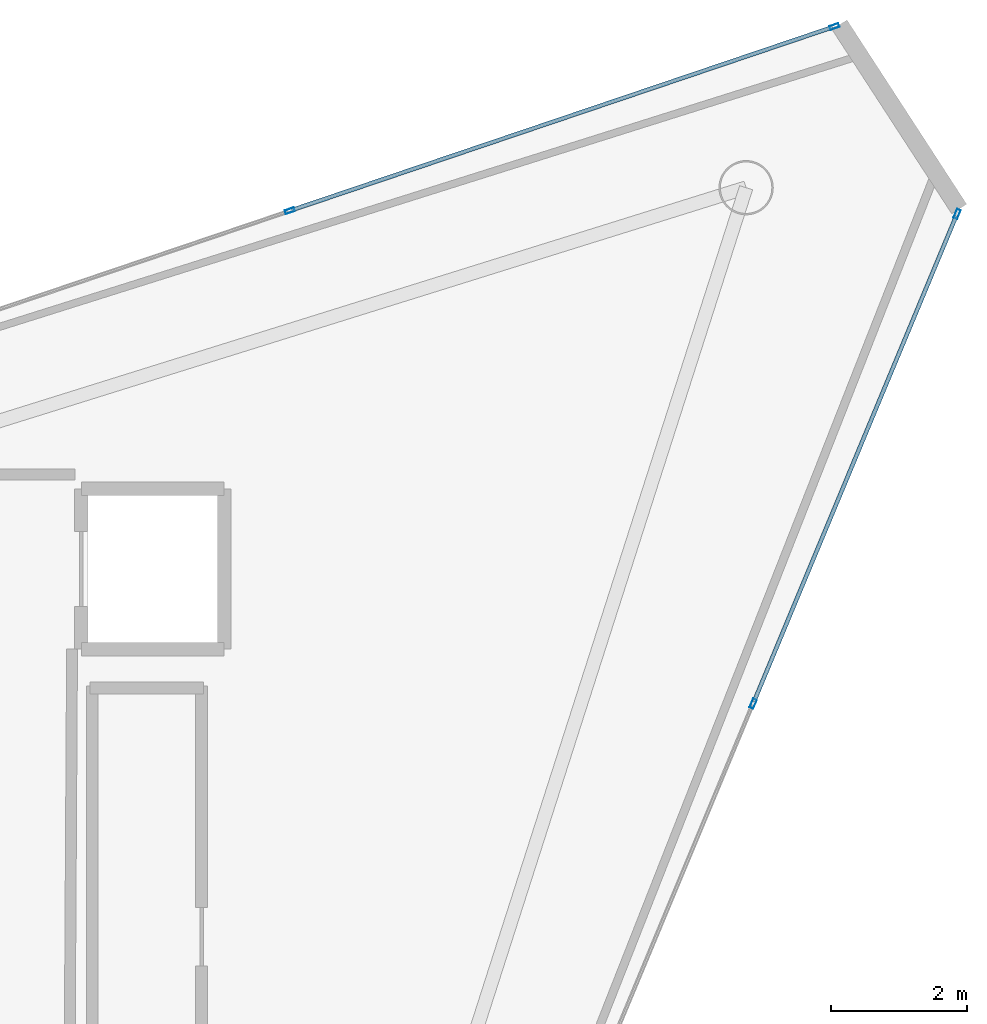
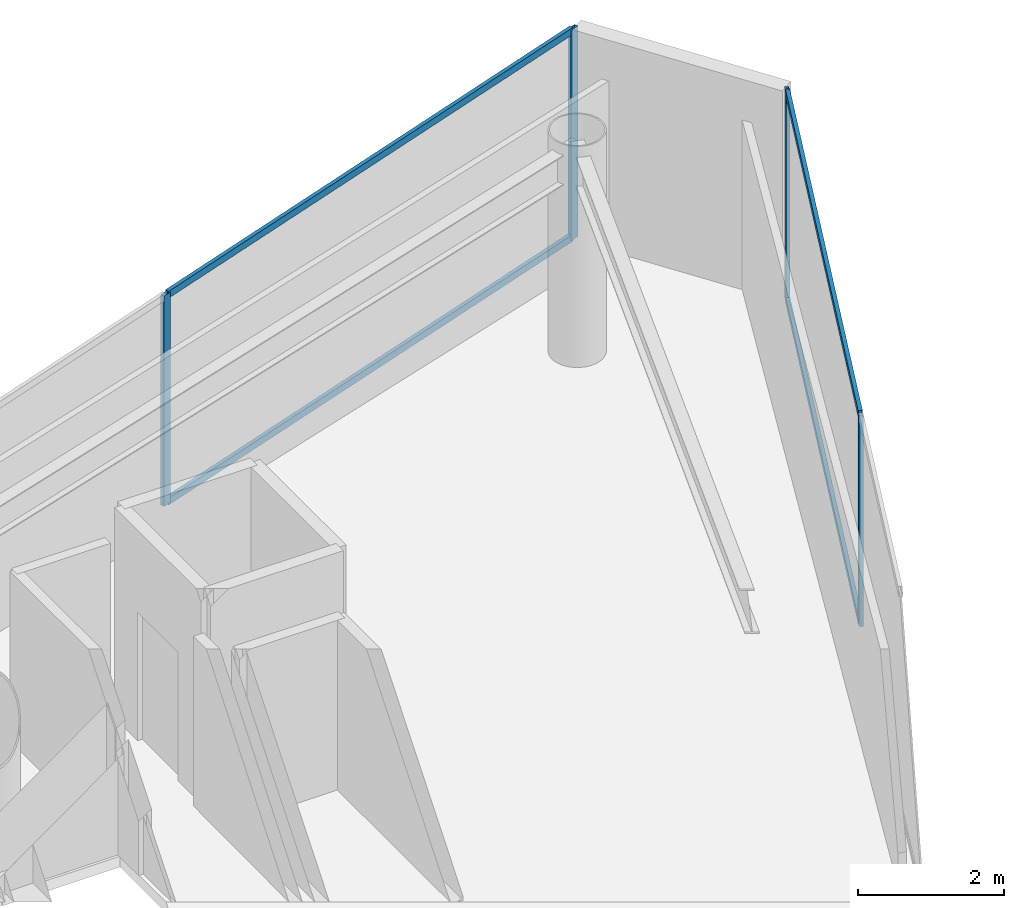
# One storey, part 15 of 19: 8 members, 2 elements without a shape of their own.
"""IFC4 building model written with IfcOpenShell, lengths in metres."""

from ifc_helpers import new_model, si_unit, direction, frame, origin, origin_2d, place, context, subcontext, project, spatial, hollow_rectangle, extrude, material, layer, layer_set, material_profile, profile_set, type_object, element, aggregate, save


model = new_model("IFC4")

# Units and contexts
model_context = context("Model", 3, precision=1e-05, world=origin(), true_north=direction((0.0, 1.0)))
body_context = subcontext(model_context, "Body", "Model", "MODEL_VIEW")
ifc_project = project(units=[si_unit("LENGTHUNIT", "METRE"), si_unit("AREAUNIT", "SQUARE_METRE"), si_unit("VOLUMEUNIT", "CUBIC_METRE"), si_unit("PLANEANGLEUNIT", "RADIAN"), si_unit("MASSUNIT", "GRAM", prefix="KILO")], contexts=[model_context])

# Site, building, storey
site_placement = place(None, origin())
site = spatial("IfcSite", under=ifc_project, at=site_placement, CompositionType="ELEMENT")
building_placement = place(site_placement, origin())
building = spatial("IfcBuilding", under=site, at=building_placement, Name="Qianvela Tower", CompositionType="ELEMENT")
storey_placement = place(building_placement, frame((0.0, 0.0, 333.300048828125)))
storey = spatial("IfcBuildingStorey", under=building, at=storey_placement, Name="L86", CompositionType="ELEMENT", Elevation=333.300048828125)

# Curtain wall, members
ifc_material_1 = material(Name="Anodised Architectural Aluminium and Low-E Glass", Category="aluminium")
ifc_layer = layer(ifc_material_1, 0.14990234375)
ifc_layer_set = layer_set([ifc_layer], Name="Anodised Architectural Aluminium and Low-E Glass")
curtain_wall_type = type_object("IfcCurtainWallType", Name="CW-COLIV-Z78", PredefinedType="USERDEFINED", material=ifc_layer_set)
curtain_wall_1_placement = place(storey_placement, origin())
curtain_wall_1 = element("IfcCurtainWall", 1, at=curtain_wall_1_placement, inside=storey, type_object=curtain_wall_type, Name="L86 CW-COLIV-Z78 Curtain Wall 02A", ObjectType="CURTAIN_WALL_SYSTEM", PredefinedType="USERDEFINED")
ifc_material_2 = material(Name="Anodised Architectural Aluminium 6063-T6", Category="aluminium")
ifc_material_profile_1 = material_profile(ifc_material_2, hollow_rectangle(XDim=0.06005859375, YDim=0.139892578125, WallThickness=0.00439453125, at=origin_2d()), Name="ALU-MULL-60x140")
ifc_profile_set_1 = profile_set([ifc_material_profile_1], Name="Anodised Architectural Aluminium 6063-T6")
member_type_1 = type_object("IfcMemberType", Name="CW-COLIV-Z78-MULL", PredefinedType="MULLION", material=ifc_profile_set_1)
member_1_placement = place(storey_placement, frame((52.525634765625, 42.077880859375, 0.0), z_axis=(0.0, 0.0, 1.0), x_axis=(0.320400301602, -0.947282242382, 0.0)))
member_1 = element("IfcMember", 2, at=member_1_placement, type_object=member_type_1, Name="CW-6 mullion 1", PredefinedType="MULLION", context=body_context, shape_type="SweptSolid", body=[
    extrude(hollow_rectangle(XDim=0.06005859375, YDim=0.139892578125, WallThickness=0.00439453125, at=origin_2d()), origin(), (0.0, 0.0, 1.0), 3.52001953125),
])
member_2_placement = place(storey_placement, frame((44.516357421875, 39.368896484375, 0.0), z_axis=(0.0, 0.0, 1.0), x_axis=(0.320400301602, -0.947282242382, 0.0)))
member_2 = element("IfcMember", 3, at=member_2_placement, type_object=member_type_1, Name="CW-6 mullion 2", PredefinedType="MULLION", context=body_context, shape_type="SweptSolid", body=[
    extrude(hollow_rectangle(XDim=0.06005859375, YDim=0.139892578125, WallThickness=0.00439453125, at=origin_2d()), origin(), (0.0, 0.0, 1.0), 3.52001953125),
])

curtain_wall_2_placement = place(storey_placement, origin())
curtain_wall_2 = element("IfcCurtainWall", 4, at=curtain_wall_2_placement, inside=storey, type_object=curtain_wall_type, Name="L86 CW-COLIV-Z78 Curtain Wall 06C", ObjectType="CURTAIN_WALL_SYSTEM", PredefinedType="USERDEFINED")
member_3_placement = place(storey_placement, frame((51.331298828125, 32.11962890625, 0.0), z_axis=(0.0, 0.0, 1.0), x_axis=(-0.923160579175, 0.384414548446, 0.0)))
member_3 = element("IfcMember", 5, at=member_3_placement, type_object=member_type_1, Name="CW-6 mullion 2", PredefinedType="MULLION", context=body_context, shape_type="SweptSolid", body=[
    extrude(hollow_rectangle(XDim=0.06005859375, YDim=0.139892578125, WallThickness=0.00439453125, at=origin_2d()), origin(), (0.0, 0.0, 1.0), 3.52001953125),
])
member_4_placement = place(storey_placement, frame((54.330322265625, 39.32177734375, 0.0), z_axis=(0.0, 0.0, 1.0), x_axis=(-0.923160579175, 0.384414548446, 0.0)))
member_4 = element("IfcMember", 6, at=member_4_placement, type_object=member_type_1, Name="CW-6 mullion 3", PredefinedType="MULLION", context=body_context, shape_type="SweptSolid", body=[
    extrude(hollow_rectangle(XDim=0.06005859375, YDim=0.139892578125, WallThickness=0.00439453125, at=origin_2d()), origin(), (0.0, 0.0, 1.0), 3.52001953125),
])

# Member
ifc_material_3 = material(Name="Anodised Architectural Aluminium 6063-T6", Category="aluminium")
ifc_material_profile_2 = material_profile(ifc_material_3, hollow_rectangle(XDim=0.06005859375, YDim=0.114990234375, WallThickness=0.00390625, at=origin_2d()), Name="ALU-TRAN-60x115")
ifc_profile_set_2 = profile_set([ifc_material_profile_2], Name="Anodised Architectural Aluminium 6063-T6")
member_type_2 = type_object("IfcMemberType", Name="CW-COLIV-Z78-TRAN", PredefinedType="USERDEFINED", material=ifc_profile_set_2)
member_5_placement = place(storey_placement, frame((52.497314453125, 42.068359375, 0.030029296875), z_axis=(-0.947275191198, -0.320421148086, 0.0), x_axis=(0.320421148086, -0.947275191198, 0.0)))
member_5 = element("IfcMember", 7, at=member_5_placement, type_object=member_type_2, Name="CW-6 transom 1.1", ObjectType="TRANSOM", PredefinedType="USERDEFINED", context=body_context, shape_type="SweptSolid", body=[
    extrude(hollow_rectangle(XDim=0.06005859375, YDim=0.114990234375, WallThickness=0.00390625, at=origin_2d()), origin(), (0.0, 0.0, 1.0), 8.39501953125),
])

member_6_placement = place(storey_placement, frame((52.497314453125, 42.068359375, 3.489990234375), z_axis=(-0.947275191198, -0.320421148086, 0.0), x_axis=(0.320421148086, -0.947275191198, 0.0)))
member_6 = element("IfcMember", 8, at=member_6_placement, type_object=member_type_2, Name="CW-6 transom 1.2", ObjectType="TRANSOM", PredefinedType="USERDEFINED", context=body_context, shape_type="SweptSolid", body=[
    extrude(hollow_rectangle(XDim=0.06005859375, YDim=0.114990234375, WallThickness=0.00390625, at=origin_2d()), origin(), (0.0, 0.0, 1.0), 8.39501953125),
])

aggregate(curtain_wall_1, [member_1, member_2, member_5, member_6])

member_7_placement = place(storey_placement, frame((51.3427734375, 32.1474609375, 0.030029296875), z_axis=(0.384425040223, 0.92315621021, 0.0), x_axis=(-0.92315621021, 0.384425040223, 0.0)))
member_7 = element("IfcMember", 9, at=member_7_placement, type_object=member_type_2, Name="CW-6 transom 2.1", ObjectType="TRANSOM", PredefinedType="USERDEFINED", context=body_context, shape_type="SweptSolid", body=[
    extrude(hollow_rectangle(XDim=0.06005859375, YDim=0.114990234375, WallThickness=0.00390625, at=origin_2d()), origin(), (0.0, 0.0, 1.0), 7.74169921875),
])

member_8_placement = place(storey_placement, frame((51.3427734375, 32.1474609375, 3.489990234375), z_axis=(0.384425040223, 0.92315621021, 0.0), x_axis=(-0.92315621021, 0.384425040223, 0.0)))
member_8 = element("IfcMember", 10, at=member_8_placement, type_object=member_type_2, Name="CW-6 transom 2.2", ObjectType="TRANSOM", PredefinedType="USERDEFINED", context=body_context, shape_type="SweptSolid", body=[
    extrude(hollow_rectangle(XDim=0.06005859375, YDim=0.114990234375, WallThickness=0.00390625, at=origin_2d()), origin(), (0.0, 0.0, 1.0), 7.74169921875),
])

aggregate(curtain_wall_2, [member_3, member_4, member_7, member_8])

save(model, "model.ifc")
